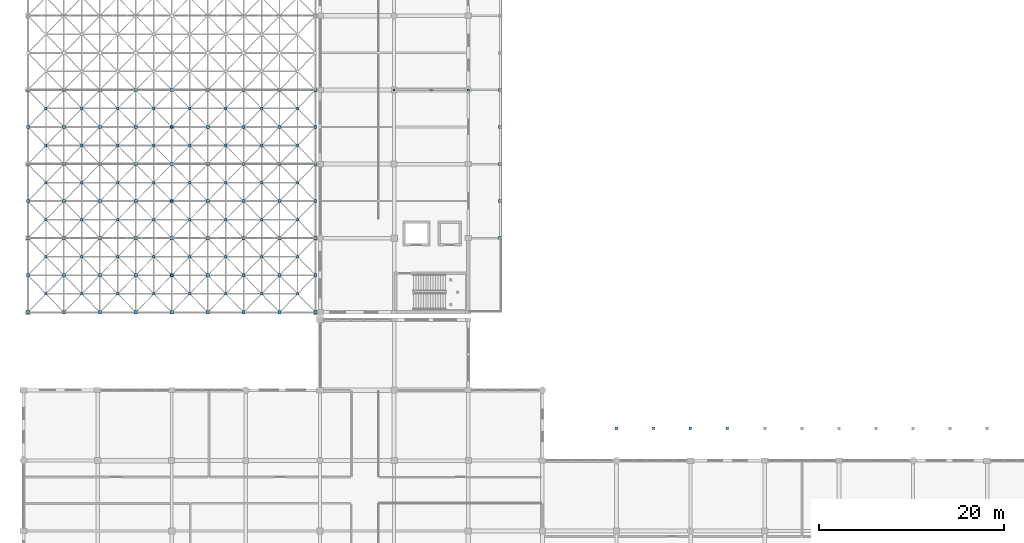
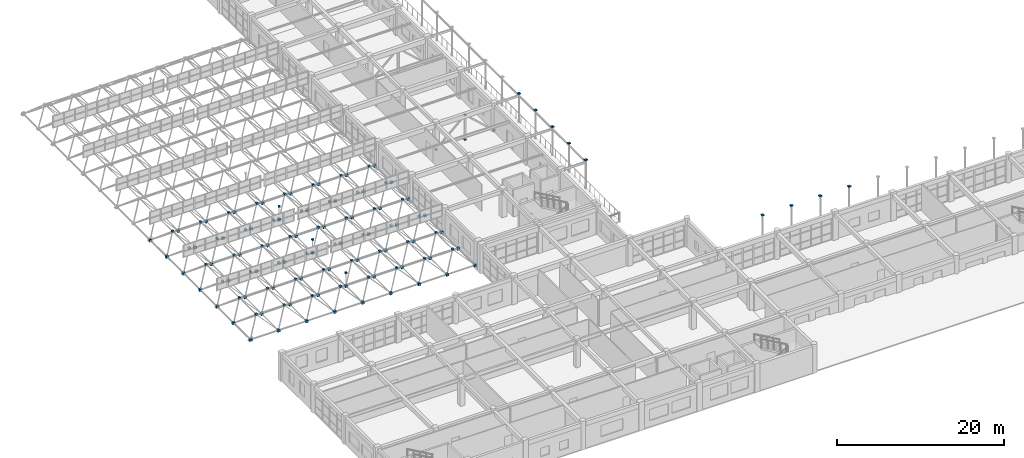
# One storey, part 177 of 195: 130 discrete accessories.
"""IFC4 building model written with IfcOpenShell, lengths in metres."""

from ifc_helpers import new_model, si_unit, direction, frame, origin, origin_2d, place, context, subcontext, project, spatial, rectangle, extrude, material, type_object, element, save


model = new_model("IFC4")

# Units and contexts
model_context = context("Model", 3, precision=1e-05, world=origin(), true_north=direction((0.0, 1.0)))
body_context = subcontext(model_context, "Body", "Model", "MODEL_VIEW")
ifc_project = project(units=[si_unit("LENGTHUNIT", "METRE"), si_unit("AREAUNIT", "SQUARE_METRE"), si_unit("VOLUMEUNIT", "CUBIC_METRE"), si_unit("PLANEANGLEUNIT", "RADIAN"), si_unit("MASSUNIT", "GRAM", prefix="KILO")], contexts=[model_context])

# Site, building, storey
site_placement = place(None, origin())
site = spatial("IfcSite", under=ifc_project, at=site_placement, CompositionType="ELEMENT")
building_placement = place(site_placement, origin())
building = spatial("IfcBuilding", under=site, at=building_placement, Name="Kharva Crest Polytechnic", CompositionType="ELEMENT")
storey_placement = place(building_placement, frame((0.0, 0.0, 9.0)))
storey = spatial("IfcBuildingStorey", under=building, at=storey_placement, Name="L02", CompositionType="ELEMENT", Elevation=9.0)

# Discrete accessories
ifc_material = material(Name="Steel S355", Category="steel")
discrete_accessory_type_1 = type_object("IfcDiscreteAccessoryType", Name="ACC-SHOE-BF240", PredefinedType="SHOE", material=ifc_material)
for number, where, z_axis, x_axis, name in (
    (1, (16.0, 42.800048828125, 0.47998046875), (0.0, 0.0, 1.0), (1.0, 0.0, 0.0), "Space Frame Ridge Strut BOT Shoe 1"),
    (2, (16.0, 42.800048828125, 2.39208984375), (0.0, 0.0, 1.0), (1.0, 0.0, 0.0), "Space Frame Ridge Strut TOP Shoe 1"),
    (3, (16.0, 50.800048828125, 0.47998046875), (0.0, 0.0, 1.0), (1.0, 0.0, 0.0), "Space Frame Ridge Strut BOT Shoe 3"),
    (4, (16.0, 50.800048828125, 2.39208984375), (0.0, 0.0, 1.0), (1.0, 0.0, 0.0), "Space Frame Ridge Strut TOP Shoe 3"),
    (5, (16.0, 58.800048828125, 0.47998046875), (0.0, 0.0, 1.0), (1.0, 0.0, 0.0), "Space Frame Ridge Strut BOT Shoe 5"),
    (6, (16.0, 58.800048828125, 2.39208984375), (0.0, 0.0, 1.0), (1.0, 0.0, 0.0), "Space Frame Ridge Strut TOP Shoe 5"),
    (7, (40.0, 62.800048828125, -0.1201171875), (0.0, 0.0, 1.0), (1.0, 0.0, 0.0), "L02 Brace Foot Shoe 3A"),
    (8, (48.0, 62.800048828125, -0.1201171875), (0.0, 0.0, 1.0), (1.0, 0.0, 0.0), "L02 Brace Foot Shoe 3B"),
    (9, (44.0, 62.800048828125, 3.52978515625), (0.0, 0.0, 1.0), (1.0, 0.0, 0.0), "L02 Brace TOP Shoe 3"),
    (10, (44.0, 62.800048828125, -0.1201171875), (0.0, 0.0, 1.0), (1.0, 0.0, 0.0), "L02 Brace BOT Shoe 3"),
):
    element("IfcDiscreteAccessory", number, at=place(storey_placement, frame(where, z_axis=z_axis, x_axis=x_axis)), inside=storey, type_object=discrete_accessory_type_1, Name=name, PredefinedType="SHOE", context=body_context, shape_type="SweptSolid", body=[
        extrude(rectangle(XDim=0.239990234375, YDim=0.239990234375, at=origin_2d()), origin(), (0.0, 0.0, 1.0), 0.239990234375),
    ])
discrete_accessory_type_2 = type_object("IfcDiscreteAccessoryType", Name="ACC-SHOE-COL320", PredefinedType="SHOE", material=ifc_material)
for number, where, z_axis, x_axis, name in (
    (11, (51.449951171875, 46.800048828125, 4.139892578125), (0.0, 0.0, 1.0), (1.0, 0.0, 0.0), "L02 Colonnade Cap Shoe VW01"),
    (12, (51.449951171875, 54.800048828125, 4.139892578125), (0.0, 0.0, 1.0), (1.0, 0.0, 0.0), "L02 Colonnade Cap Shoe VW02"),
    (13, (51.449951171875, 62.800048828125, 4.139892578125), (0.0, 0.0, 1.0), (1.0, 0.0, 0.0), "L02 Colonnade Cap Shoe VW03"),
    (14, (64.0, 26.25, 4.139892578125), (0.0, 0.0, 1.0), (1.0, 0.0, 0.0), "L02 Colonnade Cap Shoe VS01"),
    (15, (72.0, 26.25, 4.139892578125), (0.0, 0.0, 1.0), (1.0, 0.0, 0.0), "L02 Colonnade Cap Shoe VS02"),
    (16, (51.449951171875, 50.800048828125, 4.139892578125), (0.0, 0.0, 1.0), (1.0, 0.0, 0.0), "L02 Colonnade Mid Cap Shoe VWM01"),
    (17, (51.449951171875, 58.800048828125, 4.139892578125), (0.0, 0.0, 1.0), (1.0, 0.0, 0.0), "L02 Colonnade Mid Cap Shoe VWM02"),
    (18, (68.0, 26.25, 4.139892578125), (0.0, 0.0, 1.0), (1.0, 0.0, 0.0), "L02 Colonnade Mid Cap Shoe VSM01"),
    (19, (76.0, 26.25, 4.139892578125), (0.0, 0.0, 1.0), (1.0, 0.0, 0.0), "L02 Colonnade Mid Cap Shoe VSM02"),
):
    element("IfcDiscreteAccessory", number, at=place(storey_placement, frame(where, z_axis=z_axis, x_axis=x_axis)), inside=storey, type_object=discrete_accessory_type_2, Name=name, PredefinedType="SHOE", context=body_context, shape_type="SweptSolid", body=[
        extrude(rectangle(XDim=0.320068359375, YDim=0.320068359375, at=origin_2d()), origin(), (0.0, 0.0, 1.0), 0.1201171875),
    ])
discrete_accessory_type_3 = type_object("IfcDiscreteAccessoryType", Name="ACC-SHOE-SF280", PredefinedType="SHOE", material=ifc_material)
for number, where, z_axis, x_axis, name in (
    (20, (2.419921875, 40.800048828125, 2.259765625), (0.0, 0.0, 1.0), (1.0, 0.0, 0.0), "Space Frame Top Node Shoe 136"),
    (21, (2.419921875, 44.800048828125, 2.259765625), (0.0, 0.0, 1.0), (1.0, 0.0, 0.0), "Space Frame Top Node Shoe 137"),
    (22, (2.419921875, 48.800048828125, 2.259765625), (0.0, 0.0, 1.0), (1.0, 0.0, 0.0), "Space Frame Top Node Shoe 138"),
    (23, (2.419921875, 52.800048828125, 2.259765625), (0.0, 0.0, 1.0), (1.0, 0.0, 0.0), "Space Frame Top Node Shoe 139"),
    (24, (2.419921875, 56.800048828125, 2.259765625), (0.0, 0.0, 1.0), (1.0, 0.0, 0.0), "Space Frame Top Node Shoe 140"),
    (25, (2.419921875, 60.800048828125, 2.259765625), (0.0, 0.0, 1.0), (1.0, 0.0, 0.0), "Space Frame Top Node Shoe 141"),
    (26, (6.300048828125, 40.800048828125, 2.259765625), (0.0, 0.0, 1.0), (1.0, 0.0, 0.0), "Space Frame Top Node Shoe 150"),
    (27, (6.300048828125, 44.800048828125, 2.259765625), (0.0, 0.0, 1.0), (1.0, 0.0, 0.0), "Space Frame Top Node Shoe 151"),
    (28, (6.300048828125, 48.800048828125, 2.259765625), (0.0, 0.0, 1.0), (1.0, 0.0, 0.0), "Space Frame Top Node Shoe 152"),
    (29, (6.300048828125, 52.800048828125, 2.259765625), (0.0, 0.0, 1.0), (1.0, 0.0, 0.0), "Space Frame Top Node Shoe 153"),
    (30, (6.300048828125, 56.800048828125, 2.259765625), (0.0, 0.0, 1.0), (1.0, 0.0, 0.0), "Space Frame Top Node Shoe 154"),
    (31, (6.300048828125, 60.800048828125, 2.259765625), (0.0, 0.0, 1.0), (1.0, 0.0, 0.0), "Space Frame Top Node Shoe 155"),
    (32, (10.179931640625, 40.800048828125, 2.259765625), (0.0, 0.0, 1.0), (1.0, 0.0, 0.0), "Space Frame Top Node Shoe 164"),
    (33, (10.179931640625, 44.800048828125, 2.259765625), (0.0, 0.0, 1.0), (1.0, 0.0, 0.0), "Space Frame Top Node Shoe 165"),
    (34, (10.179931640625, 48.800048828125, 2.259765625), (0.0, 0.0, 1.0), (1.0, 0.0, 0.0), "Space Frame Top Node Shoe 166"),
    (35, (10.179931640625, 52.800048828125, 2.259765625), (0.0, 0.0, 1.0), (1.0, 0.0, 0.0), "Space Frame Top Node Shoe 167"),
    (36, (10.179931640625, 56.800048828125, 2.259765625), (0.0, 0.0, 1.0), (1.0, 0.0, 0.0), "Space Frame Top Node Shoe 168"),
    (37, (10.179931640625, 60.800048828125, 2.259765625), (0.0, 0.0, 1.0), (1.0, 0.0, 0.0), "Space Frame Top Node Shoe 169"),
    (38, (14.06005859375, 40.800048828125, 2.259765625), (0.0, 0.0, 1.0), (1.0, 0.0, 0.0), "Space Frame Top Node Shoe 178"),
    (39, (14.06005859375, 44.800048828125, 2.259765625), (0.0, 0.0, 1.0), (1.0, 0.0, 0.0), "Space Frame Top Node Shoe 179"),
    (40, (14.06005859375, 48.800048828125, 2.259765625), (0.0, 0.0, 1.0), (1.0, 0.0, 0.0), "Space Frame Top Node Shoe 180"),
    (41, (14.06005859375, 52.800048828125, 2.259765625), (0.0, 0.0, 1.0), (1.0, 0.0, 0.0), "Space Frame Top Node Shoe 181"),
    (42, (14.06005859375, 56.800048828125, 2.259765625), (0.0, 0.0, 1.0), (1.0, 0.0, 0.0), "Space Frame Top Node Shoe 182"),
    (43, (14.06005859375, 60.800048828125, 2.259765625), (0.0, 0.0, 1.0), (1.0, 0.0, 0.0), "Space Frame Top Node Shoe 183"),
    (44, (17.93994140625, 40.800048828125, 2.259765625), (0.0, 0.0, 1.0), (1.0, 0.0, 0.0), "Space Frame Top Node Shoe 192"),
    (45, (17.93994140625, 44.800048828125, 2.259765625), (0.0, 0.0, 1.0), (1.0, 0.0, 0.0), "Space Frame Top Node Shoe 193"),
    (46, (17.93994140625, 48.800048828125, 2.259765625), (0.0, 0.0, 1.0), (1.0, 0.0, 0.0), "Space Frame Top Node Shoe 194"),
    (47, (17.93994140625, 52.800048828125, 2.259765625), (0.0, 0.0, 1.0), (1.0, 0.0, 0.0), "Space Frame Top Node Shoe 195"),
    (48, (17.93994140625, 56.800048828125, 2.259765625), (0.0, 0.0, 1.0), (1.0, 0.0, 0.0), "Space Frame Top Node Shoe 196"),
    (49, (17.93994140625, 60.800048828125, 2.259765625), (0.0, 0.0, 1.0), (1.0, 0.0, 0.0), "Space Frame Top Node Shoe 197"),
    (50, (21.820068359375, 40.800048828125, 2.259765625), (0.0, 0.0, 1.0), (1.0, 0.0, 0.0), "Space Frame Top Node Shoe 206"),
    (51, (21.820068359375, 44.800048828125, 2.259765625), (0.0, 0.0, 1.0), (1.0, 0.0, 0.0), "Space Frame Top Node Shoe 207"),
    (52, (21.820068359375, 48.800048828125, 2.259765625), (0.0, 0.0, 1.0), (1.0, 0.0, 0.0), "Space Frame Top Node Shoe 208"),
    (53, (21.820068359375, 52.800048828125, 2.259765625), (0.0, 0.0, 1.0), (1.0, 0.0, 0.0), "Space Frame Top Node Shoe 209"),
    (54, (21.820068359375, 56.800048828125, 2.259765625), (0.0, 0.0, 1.0), (1.0, 0.0, 0.0), "Space Frame Top Node Shoe 210"),
    (55, (21.820068359375, 60.800048828125, 2.259765625), (0.0, 0.0, 1.0), (1.0, 0.0, 0.0), "Space Frame Top Node Shoe 211"),
    (56, (25.699951171875, 40.800048828125, 2.259765625), (0.0, 0.0, 1.0), (1.0, 0.0, 0.0), "Space Frame Top Node Shoe 220"),
    (57, (25.699951171875, 44.800048828125, 2.259765625), (0.0, 0.0, 1.0), (1.0, 0.0, 0.0), "Space Frame Top Node Shoe 221"),
    (58, (25.699951171875, 48.800048828125, 2.259765625), (0.0, 0.0, 1.0), (1.0, 0.0, 0.0), "Space Frame Top Node Shoe 222"),
    (59, (25.699951171875, 52.800048828125, 2.259765625), (0.0, 0.0, 1.0), (1.0, 0.0, 0.0), "Space Frame Top Node Shoe 223"),
    (60, (25.699951171875, 56.800048828125, 2.259765625), (0.0, 0.0, 1.0), (1.0, 0.0, 0.0), "Space Frame Top Node Shoe 224"),
    (61, (25.699951171875, 60.800048828125, 2.259765625), (0.0, 0.0, 1.0), (1.0, 0.0, 0.0), "Space Frame Top Node Shoe 225"),
    (62, (29.580078125, 40.800048828125, 2.259765625), (0.0, 0.0, 1.0), (1.0, 0.0, 0.0), "Space Frame Top Node Shoe 234"),
    (63, (29.580078125, 44.800048828125, 2.259765625), (0.0, 0.0, 1.0), (1.0, 0.0, 0.0), "Space Frame Top Node Shoe 235"),
    (64, (29.580078125, 48.800048828125, 2.259765625), (0.0, 0.0, 1.0), (1.0, 0.0, 0.0), "Space Frame Top Node Shoe 236"),
    (65, (29.580078125, 52.800048828125, 2.259765625), (0.0, 0.0, 1.0), (1.0, 0.0, 0.0), "Space Frame Top Node Shoe 237"),
    (66, (29.580078125, 56.800048828125, 2.259765625), (0.0, 0.0, 1.0), (1.0, 0.0, 0.0), "Space Frame Top Node Shoe 238"),
    (67, (29.580078125, 60.800048828125, 2.259765625), (0.0, 0.0, 1.0), (1.0, 0.0, 0.0), "Space Frame Top Node Shoe 239"),
):
    element("IfcDiscreteAccessory", number, at=place(storey_placement, frame(where, z_axis=z_axis, x_axis=x_axis)), inside=storey, type_object=discrete_accessory_type_3, Name=name, PredefinedType="SHOE", context=body_context, shape_type="SweptSolid", body=[
        extrude(rectangle(XDim=0.280029296875, YDim=0.280029296875, at=origin_2d()), origin(), (0.0, 0.0, 1.0), 0.280029296875),
    ])
discrete_accessory_type_4 = type_object("IfcDiscreteAccessoryType", Name="ACC-SHOE-SF340", PredefinedType="SHOE", material=ifc_material)
for number, where, z_axis, x_axis, name in (
    (68, (0.47998046875, 38.800048828125, 0.43017578125), (0.0, 0.0, 1.0), (1.0, 0.0, 0.0), "Space Frame Bottom Node Shoe 1"),
    (69, (0.47998046875, 42.800048828125, 0.43017578125), (0.0, 0.0, 1.0), (1.0, 0.0, 0.0), "Space Frame Bottom Node Shoe 2"),
    (70, (0.47998046875, 46.800048828125, 0.43017578125), (0.0, 0.0, 1.0), (1.0, 0.0, 0.0), "Space Frame Bottom Node Shoe 3"),
    (71, (0.47998046875, 50.800048828125, 0.43017578125), (0.0, 0.0, 1.0), (1.0, 0.0, 0.0), "Space Frame Bottom Node Shoe 4"),
    (72, (0.47998046875, 54.800048828125, 0.43017578125), (0.0, 0.0, 1.0), (1.0, 0.0, 0.0), "Space Frame Bottom Node Shoe 5"),
    (73, (0.47998046875, 58.800048828125, 0.43017578125), (0.0, 0.0, 1.0), (1.0, 0.0, 0.0), "Space Frame Bottom Node Shoe 6"),
    (74, (0.47998046875, 62.800048828125, 0.43017578125), (0.0, 0.0, 1.0), (1.0, 0.0, 0.0), "Space Frame Bottom Node Shoe 7"),
    (75, (4.360107421875, 38.800048828125, 0.43017578125), (0.0, 0.0, 1.0), (1.0, 0.0, 0.0), "Space Frame Bottom Node Shoe 16"),
    (76, (4.360107421875, 42.800048828125, 0.43017578125), (0.0, 0.0, 1.0), (1.0, 0.0, 0.0), "Space Frame Bottom Node Shoe 17"),
    (77, (4.360107421875, 46.800048828125, 0.43017578125), (0.0, 0.0, 1.0), (1.0, 0.0, 0.0), "Space Frame Bottom Node Shoe 18"),
    (78, (4.360107421875, 50.800048828125, 0.43017578125), (0.0, 0.0, 1.0), (1.0, 0.0, 0.0), "Space Frame Bottom Node Shoe 19"),
    (79, (4.360107421875, 54.800048828125, 0.43017578125), (0.0, 0.0, 1.0), (1.0, 0.0, 0.0), "Space Frame Bottom Node Shoe 20"),
    (80, (4.360107421875, 58.800048828125, 0.43017578125), (0.0, 0.0, 1.0), (1.0, 0.0, 0.0), "Space Frame Bottom Node Shoe 21"),
    (81, (4.360107421875, 62.800048828125, 0.43017578125), (0.0, 0.0, 1.0), (1.0, 0.0, 0.0), "Space Frame Bottom Node Shoe 22"),
    (82, (8.239990234375, 38.800048828125, 0.43017578125), (0.0, 0.0, 1.0), (1.0, 0.0, 0.0), "Space Frame Bottom Node Shoe 31"),
    (83, (8.239990234375, 42.800048828125, 0.43017578125), (0.0, 0.0, 1.0), (1.0, 0.0, 0.0), "Space Frame Bottom Node Shoe 32"),
    (84, (8.239990234375, 46.800048828125, 0.43017578125), (0.0, 0.0, 1.0), (1.0, 0.0, 0.0), "Space Frame Bottom Node Shoe 33"),
    (85, (8.239990234375, 50.800048828125, 0.43017578125), (0.0, 0.0, 1.0), (1.0, 0.0, 0.0), "Space Frame Bottom Node Shoe 34"),
    (86, (8.239990234375, 54.800048828125, 0.43017578125), (0.0, 0.0, 1.0), (1.0, 0.0, 0.0), "Space Frame Bottom Node Shoe 35"),
    (87, (8.239990234375, 58.800048828125, 0.43017578125), (0.0, 0.0, 1.0), (1.0, 0.0, 0.0), "Space Frame Bottom Node Shoe 36"),
    (88, (8.239990234375, 62.800048828125, 0.43017578125), (0.0, 0.0, 1.0), (1.0, 0.0, 0.0), "Space Frame Bottom Node Shoe 37"),
    (89, (12.1201171875, 38.800048828125, 0.43017578125), (0.0, 0.0, 1.0), (1.0, 0.0, 0.0), "Space Frame Bottom Node Shoe 46"),
    (90, (12.1201171875, 42.800048828125, 0.43017578125), (0.0, 0.0, 1.0), (1.0, 0.0, 0.0), "Space Frame Bottom Node Shoe 47"),
    (91, (12.1201171875, 46.800048828125, 0.43017578125), (0.0, 0.0, 1.0), (1.0, 0.0, 0.0), "Space Frame Bottom Node Shoe 48"),
    (92, (12.1201171875, 50.800048828125, 0.43017578125), (0.0, 0.0, 1.0), (1.0, 0.0, 0.0), "Space Frame Bottom Node Shoe 49"),
    (93, (12.1201171875, 54.800048828125, 0.43017578125), (0.0, 0.0, 1.0), (1.0, 0.0, 0.0), "Space Frame Bottom Node Shoe 50"),
    (94, (12.1201171875, 58.800048828125, 0.43017578125), (0.0, 0.0, 1.0), (1.0, 0.0, 0.0), "Space Frame Bottom Node Shoe 51"),
    (95, (12.1201171875, 62.800048828125, 0.43017578125), (0.0, 0.0, 1.0), (1.0, 0.0, 0.0), "Space Frame Bottom Node Shoe 52"),
    (96, (16.0, 38.800048828125, 0.43017578125), (0.0, 0.0, 1.0), (1.0, 0.0, 0.0), "Space Frame Bottom Node Shoe 61"),
    (97, (16.0, 42.800048828125, 0.43017578125), (0.0, 0.0, 1.0), (1.0, 0.0, 0.0), "Space Frame Bottom Node Shoe 62"),
    (98, (16.0, 46.800048828125, 0.43017578125), (0.0, 0.0, 1.0), (1.0, 0.0, 0.0), "Space Frame Bottom Node Shoe 63"),
    (99, (16.0, 50.800048828125, 0.43017578125), (0.0, 0.0, 1.0), (1.0, 0.0, 0.0), "Space Frame Bottom Node Shoe 64"),
    (100, (16.0, 54.800048828125, 0.43017578125), (0.0, 0.0, 1.0), (1.0, 0.0, 0.0), "Space Frame Bottom Node Shoe 65"),
    (101, (16.0, 58.800048828125, 0.43017578125), (0.0, 0.0, 1.0), (1.0, 0.0, 0.0), "Space Frame Bottom Node Shoe 66"),
    (102, (16.0, 62.800048828125, 0.43017578125), (0.0, 0.0, 1.0), (1.0, 0.0, 0.0), "Space Frame Bottom Node Shoe 67"),
    (103, (19.8798828125, 38.800048828125, 0.43017578125), (0.0, 0.0, 1.0), (1.0, 0.0, 0.0), "Space Frame Bottom Node Shoe 76"),
    (104, (19.8798828125, 42.800048828125, 0.43017578125), (0.0, 0.0, 1.0), (1.0, 0.0, 0.0), "Space Frame Bottom Node Shoe 77"),
    (105, (19.8798828125, 46.800048828125, 0.43017578125), (0.0, 0.0, 1.0), (1.0, 0.0, 0.0), "Space Frame Bottom Node Shoe 78"),
    (106, (19.8798828125, 50.800048828125, 0.43017578125), (0.0, 0.0, 1.0), (1.0, 0.0, 0.0), "Space Frame Bottom Node Shoe 79"),
    (107, (19.8798828125, 54.800048828125, 0.43017578125), (0.0, 0.0, 1.0), (1.0, 0.0, 0.0), "Space Frame Bottom Node Shoe 80"),
    (108, (19.8798828125, 58.800048828125, 0.43017578125), (0.0, 0.0, 1.0), (1.0, 0.0, 0.0), "Space Frame Bottom Node Shoe 81"),
    (109, (19.8798828125, 62.800048828125, 0.43017578125), (0.0, 0.0, 1.0), (1.0, 0.0, 0.0), "Space Frame Bottom Node Shoe 82"),
    (110, (23.760009765625, 38.800048828125, 0.43017578125), (0.0, 0.0, 1.0), (1.0, 0.0, 0.0), "Space Frame Bottom Node Shoe 91"),
    (111, (23.760009765625, 42.800048828125, 0.43017578125), (0.0, 0.0, 1.0), (1.0, 0.0, 0.0), "Space Frame Bottom Node Shoe 92"),
    (112, (23.760009765625, 46.800048828125, 0.43017578125), (0.0, 0.0, 1.0), (1.0, 0.0, 0.0), "Space Frame Bottom Node Shoe 93"),
    (113, (23.760009765625, 50.800048828125, 0.43017578125), (0.0, 0.0, 1.0), (1.0, 0.0, 0.0), "Space Frame Bottom Node Shoe 94"),
    (114, (23.760009765625, 54.800048828125, 0.43017578125), (0.0, 0.0, 1.0), (1.0, 0.0, 0.0), "Space Frame Bottom Node Shoe 95"),
    (115, (23.760009765625, 58.800048828125, 0.43017578125), (0.0, 0.0, 1.0), (1.0, 0.0, 0.0), "Space Frame Bottom Node Shoe 96"),
    (116, (23.760009765625, 62.800048828125, 0.43017578125), (0.0, 0.0, 1.0), (1.0, 0.0, 0.0), "Space Frame Bottom Node Shoe 97"),
    (117, (27.639892578125, 38.800048828125, 0.43017578125), (0.0, 0.0, 1.0), (1.0, 0.0, 0.0), "Space Frame Bottom Node Shoe 106"),
    (118, (27.639892578125, 42.800048828125, 0.43017578125), (0.0, 0.0, 1.0), (1.0, 0.0, 0.0), "Space Frame Bottom Node Shoe 107"),
    (119, (27.639892578125, 46.800048828125, 0.43017578125), (0.0, 0.0, 1.0), (1.0, 0.0, 0.0), "Space Frame Bottom Node Shoe 108"),
    (120, (27.639892578125, 50.800048828125, 0.43017578125), (0.0, 0.0, 1.0), (1.0, 0.0, 0.0), "Space Frame Bottom Node Shoe 109"),
    (121, (27.639892578125, 54.800048828125, 0.43017578125), (0.0, 0.0, 1.0), (1.0, 0.0, 0.0), "Space Frame Bottom Node Shoe 110"),
    (122, (27.639892578125, 58.800048828125, 0.43017578125), (0.0, 0.0, 1.0), (1.0, 0.0, 0.0), "Space Frame Bottom Node Shoe 111"),
    (123, (27.639892578125, 62.800048828125, 0.43017578125), (0.0, 0.0, 1.0), (1.0, 0.0, 0.0), "Space Frame Bottom Node Shoe 112"),
    (124, (31.52001953125, 38.800048828125, 0.43017578125), (0.0, 0.0, 1.0), (1.0, 0.0, 0.0), "Space Frame Bottom Node Shoe 121"),
    (125, (31.52001953125, 42.800048828125, 0.43017578125), (0.0, 0.0, 1.0), (1.0, 0.0, 0.0), "Space Frame Bottom Node Shoe 122"),
    (126, (31.52001953125, 46.800048828125, 0.43017578125), (0.0, 0.0, 1.0), (1.0, 0.0, 0.0), "Space Frame Bottom Node Shoe 123"),
    (127, (31.52001953125, 50.800048828125, 0.43017578125), (0.0, 0.0, 1.0), (1.0, 0.0, 0.0), "Space Frame Bottom Node Shoe 124"),
    (128, (31.52001953125, 54.800048828125, 0.43017578125), (0.0, 0.0, 1.0), (1.0, 0.0, 0.0), "Space Frame Bottom Node Shoe 125"),
    (129, (31.52001953125, 58.800048828125, 0.43017578125), (0.0, 0.0, 1.0), (1.0, 0.0, 0.0), "Space Frame Bottom Node Shoe 126"),
    (130, (31.52001953125, 62.800048828125, 0.43017578125), (0.0, 0.0, 1.0), (1.0, 0.0, 0.0), "Space Frame Bottom Node Shoe 127"),
):
    element("IfcDiscreteAccessory", number, at=place(storey_placement, frame(where, z_axis=z_axis, x_axis=x_axis)), inside=storey, type_object=discrete_accessory_type_4, Name=name, PredefinedType="SHOE", context=body_context, shape_type="SweptSolid", body=[
        extrude(rectangle(XDim=0.340087890625, YDim=0.340087890625, at=origin_2d()), origin(), (0.0, 0.0, 1.0), 0.340087890625),
    ])

save(model, "model.ifc")
